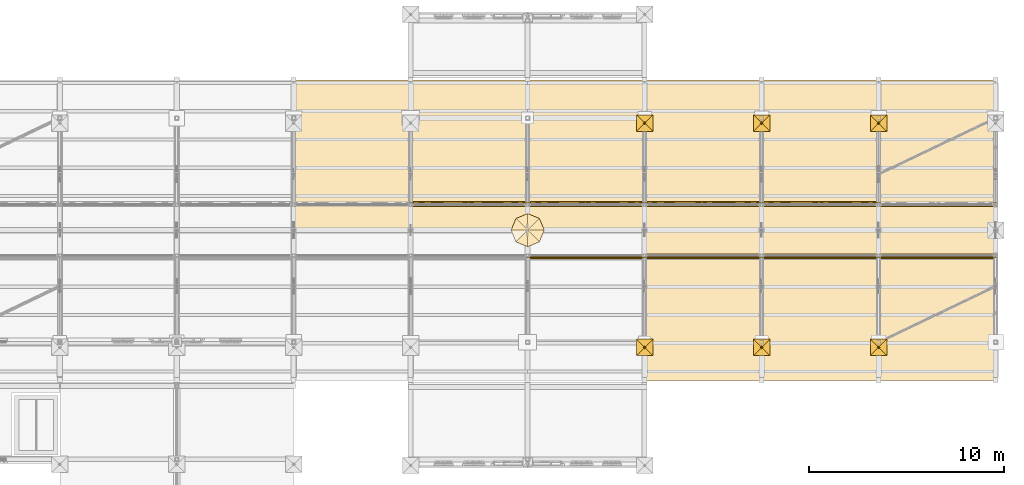
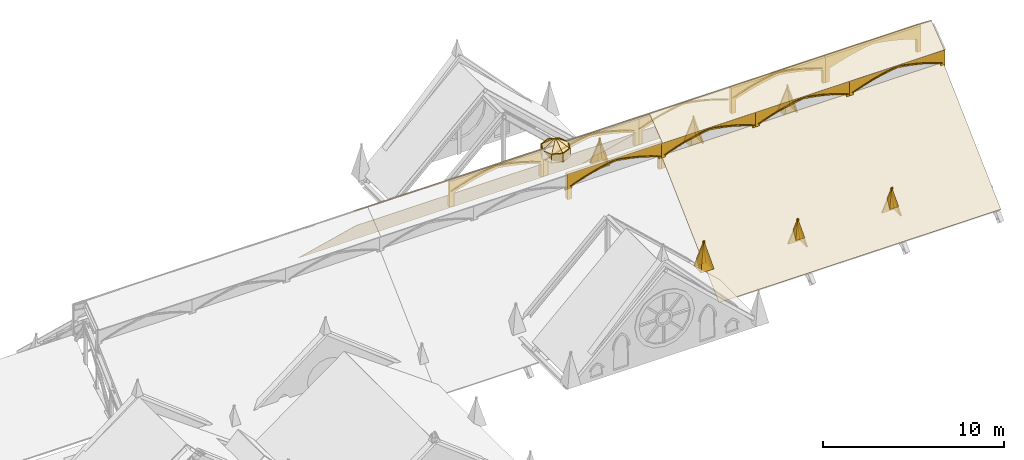
# One storey, part 30 of 33: 55 coverings.
"""IFC4 building model written with IfcOpenShell, lengths in metres."""

import ifcopenshell
import ifcopenshell.guid

model = None  # the IFC model being written
_history = None  # IfcOwnerHistory: only IFC2X3 demands one
_inside = {}  # id of a spatial element -> (the spatial element, [elements in it])
_under = {}  # id of a project, library or spatial element -> (it, [spatial elements below it])
_declared = {}  # id of a project -> (the project, [libraries it declares])
_typed = {}  # id of a type object -> (the type object, [elements of that type])
_made_of = {}  # id of a material, layer set ... -> (it, [elements and type objects made of it])


def new_model(schema):
    """Start an empty IFC model of exactly this schema.

    Asked for "IFC4X3", IfcOpenShell would pick the latest addendum, in which some entities
    have other attributes; the version numbers below select the first issue.
    IFC2X3 requires an IfcOwnerHistory on every rooted entity: one is made here for all.
    """
    global model, _history
    if schema == "IFC4X3":
        model = ifcopenshell.file(schema_version=(4, 3, 0, 0))
    else:
        model = ifcopenshell.file(schema=schema)
    _inside.clear()
    _under.clear()
    _declared.clear()
    _typed.clear()
    _made_of.clear()
    _history = None
    if model.schema == "IFC2X3":
        org = make("IfcOrganization", Name="unknown")
        user = make(
            "IfcPersonAndOrganization",
            ThePerson=make("IfcPerson", FamilyName="unknown"),
            TheOrganization=org,
        )
        app = make(
            "IfcApplication",
            ApplicationDeveloper=org,
            Version="unknown",
            ApplicationFullName="unknown",
            ApplicationIdentifier="unknown",
        )
        _history = make(
            "IfcOwnerHistory",
            OwningUser=user,
            OwningApplication=app,
            ChangeAction="ADDED",
            CreationDate=0,
        )
    return model


def make(cls, **values):
    """One entity of the class cls with the attributes given. An attribute that is None is left unset."""
    return model.create_entity(
        cls, **{name: value for name, value in values.items() if value is not None}
    )


def rooted(cls, **values):
    """An entity with a GlobalId (a new one), such as an element, a storey or a relation."""
    return make(cls, GlobalId=ifcopenshell.guid.new(), OwnerHistory=_history, **values)


def si_unit(unit_type, name, prefix=None):
    """IfcSIUnit, for example si_unit("LENGTHUNIT", "METRE", prefix="MILLI")."""
    return make("IfcSIUnit", UnitType=unit_type, Prefix=prefix, Name=name)


def assignment(units):
    """IfcUnitAssignment: the units of a project."""
    return None if units is None else make("IfcUnitAssignment", Units=units)


def point(xyz):
    """IfcCartesianPoint."""
    return None if xyz is None else make("IfcCartesianPoint", Coordinates=xyz)


def direction(xyz):
    """IfcDirection."""
    return None if xyz is None else make("IfcDirection", DirectionRatios=xyz)


def frame(location, z_axis=None, x_axis=None):
    """IfcAxis2Placement3D, a coordinate frame: its origin and axes. An axis left out is left unset."""
    return make(
        "IfcAxis2Placement3D",
        Location=point(location),
        Axis=direction(z_axis),
        RefDirection=direction(x_axis),
    )


def origin():
    """The frame at (0, 0, 0) with its axes left unset."""
    return frame((0.0, 0.0, 0.0))


def place(relative_to, where):
    """IfcLocalPlacement: puts the frame where relative to a parent placement (None: the world)."""
    return make(
        "IfcLocalPlacement", PlacementRelTo=relative_to, RelativePlacement=where
    )


def context(
    kind, dimensions, precision=None, world=None, true_north=None, identifier=None
):
    """IfcGeometricRepresentationContext, for example the 3D "Model" context."""
    return make(
        "IfcGeometricRepresentationContext",
        ContextIdentifier=identifier,
        ContextType=kind,
        CoordinateSpaceDimension=dimensions,
        Precision=precision,
        WorldCoordinateSystem=world,
        TrueNorth=true_north,
    )


def subcontext(parent, identifier, kind, view, scale=None):
    """IfcGeometricRepresentationSubContext, for example "Body" below "Model"."""
    return make(
        "IfcGeometricRepresentationSubContext",
        ContextIdentifier=identifier,
        ContextType=kind,
        ParentContext=parent,
        TargetScale=scale,
        TargetView=view,
    )


def project(units=None, contexts=None):
    """IfcProject with its units and contexts."""
    return rooted(
        "IfcProject",
        Name="project",
        RepresentationContexts=contexts,
        UnitsInContext=assignment(units),
    )


def spatial(cls, under=None, at=None, **own):
    """A site, building, storey or space (cls), placed at a placement, below another one or the project."""
    s = rooted(cls, ObjectPlacement=at, **own)
    if under is not None:
        _under.setdefault(under.id(), (under, []))[1].append(s)
    return s


def polyline(points):
    """IfcPolyline through the points."""
    return make("IfcPolyline", Points=[point(p) for p in points])


def outline(outer, holes=None, kind="AREA"):
    """IfcArbitraryClosedProfileDef: a profile drawn as a closed curve; with holes, ...WithVoids."""
    if holes is None:
        return make("IfcArbitraryClosedProfileDef", ProfileType=kind, OuterCurve=outer)
    return make(
        "IfcArbitraryProfileDefWithVoids",
        ProfileType=kind,
        OuterCurve=outer,
        InnerCurves=holes,
    )


def extrude(swept, where, along, depth):
    """IfcExtrudedAreaSolid: the profile swept, set in the frame where, extruded along a direction by depth."""
    return make(
        "IfcExtrudedAreaSolid",
        SweptArea=swept,
        Position=where,
        ExtrudedDirection=direction(along),
        Depth=depth,
    )


def shape(context_of_items, identifier, shape_type, items):
    """IfcShapeRepresentation: the items that make up one representation, for example the "Body"."""
    return make(
        "IfcShapeRepresentation",
        ContextOfItems=context_of_items,
        RepresentationIdentifier=identifier,
        RepresentationType=shape_type,
        Items=items,
    )


def material(Name=None, Category=None):
    """IfcMaterial."""
    return make("IfcMaterial", Name=Name, Category=Category)


def made_of(thing, what):
    """Note that an element or type object is made of a material, layer set ...; save() writes the relation."""
    if what is not None:
        _made_of.setdefault(what.id(), (what, []))[1].append(thing)
    return thing


def type_object(cls, material=None, **own):
    """A type object (cls), such as IfcWallType, which elements share."""
    return made_of(rooted(cls, **own), material)


def element(
    cls,
    number,
    at=None,
    inside=None,
    cuts=None,
    type_object=None,
    material=None,
    context=None,
    identifier="Body",
    shape_type=None,
    held_by="IfcProductDefinitionShape",
    body=None,
    shapes=None,
    **own,
):
    """One element of the class cls, such as IfcWall. Its Tag is "e" and its number.

    at: its placement. inside: the storey or other place that contains it. cuts: it is an
    opening in that element (IfcRelVoidsElement). A single representation is given by context,
    identifier, shape_type and body (its items); several are given by shapes. held_by: the class
    of the entity that holds the representations. save() writes the other relations.
    """
    e = rooted(cls, Tag="e%d" % number, ObjectPlacement=at, **own)
    if body is not None:
        shapes = [shape(context, identifier, shape_type, body)]
    if shapes is not None:
        e.Representation = make(held_by, Representations=shapes)
    if inside is not None:
        _inside.setdefault(inside.id(), (inside, []))[1].append(e)
    if cuts is not None:
        rooted(
            "IfcRelVoidsElement", RelatingBuildingElement=cuts, RelatedOpeningElement=e
        )
    if type_object is not None:
        _typed.setdefault(type_object.id(), (type_object, []))[1].append(e)
    return made_of(e, material)


def aggregate(whole, parts):
    """IfcRelAggregates: a whole, such as a stair, and the parts it consists of."""
    return rooted("IfcRelAggregates", RelatingObject=whole, RelatedObjects=parts)


def save(model, path):
    """Write the relations noted so far, then the file.

    IfcRelAggregates (storeys below a building ...), IfcRelContainedInSpatialStructure (elements
    in a storey), IfcRelDefinesByType, IfcRelAssociatesMaterial and IfcRelDeclares: one each for
    every whole, place, type object, material and project.
    """
    for whole, parts in _under.values():
        aggregate(whole, parts)
    for where, things in _inside.values():
        rooted(
            "IfcRelContainedInSpatialStructure",
            RelatedElements=things,
            RelatingStructure=where,
        )
    for kind, things in _typed.values():
        rooted("IfcRelDefinesByType", RelatedObjects=things, RelatingType=kind)
    for what, things in _made_of.values():
        rooted("IfcRelAssociatesMaterial", RelatedObjects=things, RelatingMaterial=what)
    for by, libraries in _declared.values():
        rooted("IfcRelDeclares", RelatingContext=by, RelatedDefinitions=libraries)
    model.write(path)


model = new_model("IFC4")

# Units and contexts
model_context = context("Model", 3, precision=1e-05, world=origin(), true_north=direction((0.0, 1.0)))
body_context = subcontext(model_context, "Body", "Model", "MODEL_VIEW")
ifc_project = project(units=[si_unit("LENGTHUNIT", "METRE"), si_unit("AREAUNIT", "SQUARE_METRE"), si_unit("VOLUMEUNIT", "CUBIC_METRE"), si_unit("PLANEANGLEUNIT", "RADIAN"), si_unit("MASSUNIT", "GRAM", prefix="KILO")], contexts=[model_context])

# Site, building, storey
site_placement = place(None, origin())
site = spatial("IfcSite", under=ifc_project, at=site_placement, CompositionType="ELEMENT")
building_placement = place(site_placement, origin())
building = spatial("IfcBuilding", under=site, at=building_placement, Name="Cumevento Cable Car Station", CompositionType="ELEMENT")
storey_placement = place(building_placement, frame((0.0, 0.0, 22.5)))
storey = spatial("IfcBuildingStorey", under=building, at=storey_placement, Name="RF", CompositionType="ELEMENT", Elevation=22.5)

# Coverings
ifc_material_1 = material(Name="Standing-Seam Zinc-Titanium Roof Sheet", Category="steel")
covering_type_1 = type_object("IfcCoveringType", Name="Standing-Seam Zinc Roofing CV-RF01", PredefinedType="ROOFING", material=ifc_material_1)
covering_1_placement = place(storey_placement, frame((82.0, 52.050048828125, 5.681396484375), z_axis=(0.0, 0.688352287595, 0.72537654233), x_axis=(1.0, 0.0, 0.0)))
element("IfcCovering", 1, at=covering_1_placement, inside=storey, type_object=covering_type_1, Name="Standing-Seam Zinc Roof Covering #6", PredefinedType="ROOFING", context=body_context, shape_type="SweptSolid", body=[
    extrude(outline(polyline([(0.0, 0.0), (18.0, 0.0), (18.0, 8.822869186243585), (0.0, 8.822869186243585), (0.0, 0.0)])), origin(), (0.0, 0.0, -1.0), 0.02587890625),
])
covering_2_placement = place(storey_placement, frame((82.0, 50.7548828125, 7.704345703125), z_axis=(0.0, 0.614798151706, 0.788684495004), x_axis=(1.0, 0.0, 0.0)))
element("IfcCovering", 2, at=covering_2_placement, inside=storey, type_object=covering_type_1, Name="Standing-Seam Zinc Roof Covering #8", PredefinedType="ROOFING", context=body_context, shape_type="SweptSolid", body=[
    extrude(outline(polyline([(0.0, 0.0), (18.0, 0.0), (18.0, 1.8322515131584596), (0.0, 1.8322515131584596), (0.0, 0.0)])), origin(), (0.0, 0.0, -1.0), 0.02587890625),
])
for number, where, z_axis, x_axis, name in (
    (3, (100.0, 43.050048828125, -0.391845703125), (0.0, -0.688352287595, 0.72537654233), (1.0, 0.0, 0.0), "Standing-Seam Zinc Roof Covering #9"),
    (4, (100.0, 52.050048828125, 5.681396484375), (0.0, 0.688352287595, 0.72537654233), (1.0, 0.0, 0.0), "Standing-Seam Zinc Roof Covering #10"),
):
    element("IfcCovering", number, at=place(storey_placement, frame(where, z_axis=z_axis, x_axis=x_axis)), inside=storey, type_object=covering_type_1, Name=name, PredefinedType="ROOFING", context=body_context, shape_type="SweptSolid", body=[
        extrude(outline(polyline([(0.0, 0.0), (18.0, 0.0), (18.0, 8.822869186243585), (0.0, 8.822869186243585), (0.0, 0.0)])), origin(), (0.0, 0.0, -1.0), 0.02587890625),
    ])
for number, where, z_axis, x_axis, name in (
    (5, (100.0, 49.300048828125, 6.577880859375), (0.0, -0.614798151706, 0.788684495004), (1.0, 0.0, 0.0), "Standing-Seam Zinc Roof Covering #11"),
    (6, (100.0, 50.7548828125, 7.704345703125), (0.0, 0.614798151706, 0.788684495004), (1.0, 0.0, 0.0), "Standing-Seam Zinc Roof Covering #12"),
):
    element("IfcCovering", number, at=place(storey_placement, frame(where, z_axis=z_axis, x_axis=x_axis)), inside=storey, type_object=covering_type_1, Name=name, PredefinedType="ROOFING", context=body_context, shape_type="SweptSolid", body=[
        extrude(outline(polyline([(0.0, 0.0), (18.0, 0.0), (18.0, 1.8322515131584596), (0.0, 1.8322515131584596), (0.0, 0.0)])), origin(), (0.0, 0.0, -1.0), 0.02587890625),
    ])
ifc_material_2 = material(Name="Gnaisse Facoidal Stone Ashlar 85 MPa", Category="masonry")
covering_type_2 = type_object("IfcCoveringType", Name="Gnaisse Ashlar Cladding CV-CL01", PredefinedType="CLADDING", material=ifc_material_2)
for number, where, z_axis, x_axis, name in (
    (7, (99.580078125, 45.159912109375, 0.969970703125), (0.0, 0.973851925658, 0.227183685356), (1.0, 0.0, 0.0), "Gothic Buttress Pinnacle Spire Facet 1 bt:100.0:45.0"),
    (8, (100.419921875, 45.159912109375, 0.969970703125), (0.973851925658, 0.0, 0.227183685356), (0.0, -1.0, 0.0), "Gothic Buttress Pinnacle Spire Facet 2 bt:100.0:45.0"),
    (9, (100.419921875, 44.320068359375, 0.969970703125), (0.0, -0.973851925658, 0.227183685356), (-1.0, 0.0, 0.0), "Gothic Buttress Pinnacle Spire Facet 3 bt:100.0:45.0"),
    (10, (99.580078125, 44.320068359375, 0.969970703125), (-0.973851925658, 0.0, 0.227183685356), (0.0, 1.0, 0.0), "Gothic Buttress Pinnacle Spire Facet 4 bt:100.0:45.0"),
    (11, (99.580078125, 56.659912109375, 0.969970703125), (0.0, 0.973851925658, 0.227183685356), (1.0, 0.0, 0.0), "Gothic Buttress Pinnacle Spire Facet 1 bt:100.0:56.5"),
    (12, (100.419921875, 56.659912109375, 0.969970703125), (0.973851925658, 0.0, 0.227183685356), (0.0, -1.0, 0.0), "Gothic Buttress Pinnacle Spire Facet 2 bt:100.0:56.5"),
    (13, (100.419921875, 55.820068359375, 0.969970703125), (0.0, -0.973851925658, 0.227183685356), (-1.0, 0.0, 0.0), "Gothic Buttress Pinnacle Spire Facet 3 bt:100.0:56.5"),
    (14, (99.580078125, 55.820068359375, 0.969970703125), (-0.973851925658, 0.0, 0.227183685356), (0.0, 1.0, 0.0), "Gothic Buttress Pinnacle Spire Facet 4 bt:100.0:56.5"),
):
    element("IfcCovering", number, at=place(storey_placement, frame(where, z_axis=z_axis, x_axis=x_axis)), inside=storey, type_object=covering_type_2, Name=name, PredefinedType="CLADDING", context=body_context, shape_type="SweptSolid", body=[
        extrude(outline(polyline([(0.0, 0.0), (0.83984375, 0.0), (0.419921875, -1.84838041667231), (0.0, 0.0)])), origin(), (0.0, 0.0, -1.0), 0.0849609375),
    ])
for number, where, z_axis, x_axis, name in (
    (15, (105.580078125, 45.159912109375, 0.3701171875), (0.0, 0.973845107191, 0.227212911607), (1.0, 0.0, 0.0), "Gothic Buttress Pinnacle Spire Facet 1 bt:106.0:45.0"),
    (16, (106.419921875, 45.159912109375, 0.3701171875), (0.973845107191, 0.0, 0.227212911607), (0.0, -1.0, 0.0), "Gothic Buttress Pinnacle Spire Facet 2 bt:106.0:45.0"),
    (17, (106.419921875, 44.320068359375, 0.3701171875), (0.0, -0.973845107191, 0.227212911607), (-1.0, 0.0, 0.0), "Gothic Buttress Pinnacle Spire Facet 3 bt:106.0:45.0"),
    (18, (105.580078125, 44.320068359375, 0.3701171875), (-0.973845107191, 0.0, 0.227212911607), (0.0, 1.0, 0.0), "Gothic Buttress Pinnacle Spire Facet 4 bt:106.0:45.0"),
    (19, (105.580078125, 56.659912109375, 0.3701171875), (0.0, 0.973845107191, 0.227212911607), (1.0, 0.0, 0.0), "Gothic Buttress Pinnacle Spire Facet 1 bt:106.0:56.5"),
    (20, (106.419921875, 56.659912109375, 0.3701171875), (0.973845107191, 0.0, 0.227212911607), (0.0, -1.0, 0.0), "Gothic Buttress Pinnacle Spire Facet 2 bt:106.0:56.5"),
    (21, (106.419921875, 55.820068359375, 0.3701171875), (0.0, -0.973845107191, 0.227212911607), (-1.0, 0.0, 0.0), "Gothic Buttress Pinnacle Spire Facet 3 bt:106.0:56.5"),
    (22, (105.580078125, 55.820068359375, 0.3701171875), (-0.973845107191, 0.0, 0.227212911607), (0.0, 1.0, 0.0), "Gothic Buttress Pinnacle Spire Facet 4 bt:106.0:56.5"),
    (23, (111.580078125, 45.159912109375, 0.3701171875), (0.0, 0.973845107191, 0.227212911607), (1.0, 0.0, 0.0), "Gothic Buttress Pinnacle Spire Facet 1 bt:112.0:45.0"),
    (24, (112.419921875, 45.159912109375, 0.3701171875), (0.973845107191, 0.0, 0.227212911607), (0.0, -1.0, 0.0), "Gothic Buttress Pinnacle Spire Facet 2 bt:112.0:45.0"),
    (25, (112.419921875, 44.320068359375, 0.3701171875), (0.0, -0.973845107191, 0.227212911607), (-1.0, 0.0, 0.0), "Gothic Buttress Pinnacle Spire Facet 3 bt:112.0:45.0"),
    (26, (111.580078125, 44.320068359375, 0.3701171875), (-0.973845107191, 0.0, 0.227212911607), (0.0, 1.0, 0.0), "Gothic Buttress Pinnacle Spire Facet 4 bt:112.0:45.0"),
    (27, (111.580078125, 56.659912109375, 0.3701171875), (0.0, 0.973845107191, 0.227212911607), (1.0, 0.0, 0.0), "Gothic Buttress Pinnacle Spire Facet 1 bt:112.0:56.5"),
    (28, (112.419921875, 56.659912109375, 0.3701171875), (0.973845107191, 0.0, 0.227212911607), (0.0, -1.0, 0.0), "Gothic Buttress Pinnacle Spire Facet 2 bt:112.0:56.5"),
    (29, (112.419921875, 55.820068359375, 0.3701171875), (0.0, -0.973845107191, 0.227212911607), (-1.0, 0.0, 0.0), "Gothic Buttress Pinnacle Spire Facet 3 bt:112.0:56.5"),
    (30, (111.580078125, 55.820068359375, 0.3701171875), (-0.973845107191, 0.0, 0.227212911607), (0.0, 1.0, 0.0), "Gothic Buttress Pinnacle Spire Facet 4 bt:112.0:56.5"),
):
    element("IfcCovering", number, at=place(storey_placement, frame(where, z_axis=z_axis, x_axis=x_axis)), inside=storey, type_object=covering_type_2, Name=name, PredefinedType="CLADDING", context=body_context, shape_type="SweptSolid", body=[
        extrude(outline(polyline([(0.0, 0.0), (0.83984375, 0.0), (0.419921875, -1.848142660686801), (0.0, 0.0)])), origin(), (0.0, 0.0, -1.0), 0.0849609375),
    ])
covering_3_placement = place(storey_placement, frame((100.0, 49.449951171875, 4.85009765625), z_axis=(0.0, 0.0, 1.0), x_axis=(-1.0, 0.0, 0.0)))
element("IfcCovering", 31, at=covering_3_placement, inside=storey, type_object=covering_type_2, Name="Gothic Ogival Pointed-Arch Stone Spandrel bh_lantern_arc:S:5", PredefinedType="CLADDING", context=body_context, shape_type="SweptSolid", body=[
    extrude(outline(polyline([(-0.050048828125, 0.0), (-0.050048828125, 1.72998046875), (6.050048828125, 1.72998046875), (6.050048828125, 0.0), (5.780029296875, 0.0), (5.780029296875, 0.89990234375), (5.327880859375, 1.0537109375), (4.870361328125, 1.190185546875), (4.408203125, 1.310546875), (3.942138671875, 1.414306640625), (3.472412109375, 1.50048828125), (3.0, 1.56982421875), (2.527587890625, 1.50048828125), (2.057861328125, 1.414306640625), (1.591796875, 1.310546875), (1.129638671875, 1.190185546875), (0.672119140625, 1.0537109375), (0.219970703125, 0.89990234375), (0.219970703125, 0.0), (-0.050048828125, 0.0)])), frame((0.0, 0.1201171875, 0.0), z_axis=(0.0, -1.0, 0.0), x_axis=(1.0, 0.0, 0.0)), (0.0, 0.0, 1.0), 0.199951171875),
])
covering_4_placement = place(storey_placement, frame((100.0, 49.449951171875, 5.75), z_axis=(0.0, 0.0, 1.0), x_axis=(-1.0, 0.0, 0.0)))
element("IfcCovering", 32, at=covering_4_placement, inside=storey, type_object=covering_type_2, Name="Gothic Pointed Archivolt Hood Moulding bh_lantern_arc:S:5", PredefinedType="CLADDING", context=body_context, shape_type="SweptSolid", body=[
    extrude(outline(polyline([(0.219970703125, 0.0), (0.672119140625, 0.153564453125), (1.129638671875, 0.290283203125), (1.591796875, 0.41064453125), (2.057861328125, 0.51416015625), (2.527587890625, 0.6005859375), (3.0, 0.669921875), (3.472412109375, 0.6005859375), (3.942138671875, 0.51416015625), (4.408203125, 0.41064453125), (4.870361328125, 0.290283203125), (5.327880859375, 0.153564453125), (5.780029296875, 0.0), (5.867919921875, 0.0), (5.404541015625, 0.17822265625), (4.934326171875, 0.337646484375), (4.457763671875, 0.477783203125), (3.97607421875, 0.59814453125), (3.489990234375, 0.698974609375), (3.0, 0.780029296875), (2.510009765625, 0.698974609375), (2.02392578125, 0.59814453125), (1.542236328125, 0.477783203125), (1.065673828125, 0.337646484375), (0.595458984375, 0.17822265625), (0.132080078125, 0.0), (0.219970703125, 0.0)])), frame((0.0, 0.162109375, 0.0), z_axis=(0.0, -1.0, 0.0), x_axis=(1.0, 0.0, 0.0)), (0.0, 0.0, 1.0), 0.06689453125),
])
covering_5_placement = place(storey_placement, frame((106.0, 49.449951171875, 4.85009765625), z_axis=(0.0, 0.0, 1.0), x_axis=(-1.0, 0.0, 0.0)))
element("IfcCovering", 33, at=covering_5_placement, inside=storey, type_object=covering_type_2, Name="Gothic Ogival Pointed-Arch Stone Spandrel bh_lantern_arc:S:6", PredefinedType="CLADDING", context=body_context, shape_type="SweptSolid", body=[
    extrude(outline(polyline([(-0.050048828125, 0.0), (-0.050048828125, 1.72998046875), (6.050048828125, 1.72998046875), (6.050048828125, 0.0), (5.780029296875, 0.0), (5.780029296875, 0.89990234375), (5.327880859375, 1.0537109375), (4.870361328125, 1.190185546875), (4.408203125, 1.310546875), (3.942138671875, 1.414306640625), (3.472412109375, 1.50048828125), (3.0, 1.56982421875), (2.527587890625, 1.50048828125), (2.057861328125, 1.414306640625), (1.591796875, 1.310546875), (1.129638671875, 1.190185546875), (0.672119140625, 1.0537109375), (0.219970703125, 0.89990234375), (0.219970703125, 0.0), (-0.050048828125, 0.0)])), frame((0.0, 0.1201171875, 0.0), z_axis=(0.0, -1.0, 0.0), x_axis=(1.0, 0.0, 0.0)), (0.0, 0.0, 1.0), 0.199951171875),
])
covering_6_placement = place(storey_placement, frame((106.0, 49.449951171875, 5.75), z_axis=(0.0, 0.0, 1.0), x_axis=(-1.0, 0.0, 0.0)))
element("IfcCovering", 34, at=covering_6_placement, inside=storey, type_object=covering_type_2, Name="Gothic Pointed Archivolt Hood Moulding bh_lantern_arc:S:6", PredefinedType="CLADDING", context=body_context, shape_type="SweptSolid", body=[
    extrude(outline(polyline([(0.219970703125, 0.0), (0.672119140625, 0.153564453125), (1.129638671875, 0.290283203125), (1.591796875, 0.41064453125), (2.057861328125, 0.51416015625), (2.527587890625, 0.6005859375), (3.0, 0.669921875), (3.472412109375, 0.6005859375), (3.942138671875, 0.51416015625), (4.408203125, 0.41064453125), (4.870361328125, 0.290283203125), (5.327880859375, 0.153564453125), (5.780029296875, 0.0), (5.867919921875, 0.0), (5.404541015625, 0.17822265625), (4.934326171875, 0.337646484375), (4.457763671875, 0.477783203125), (3.97607421875, 0.59814453125), (3.489990234375, 0.698974609375), (3.0, 0.780029296875), (2.510009765625, 0.698974609375), (2.02392578125, 0.59814453125), (1.542236328125, 0.477783203125), (1.065673828125, 0.337646484375), (0.595458984375, 0.17822265625), (0.132080078125, 0.0), (0.219970703125, 0.0)])), frame((0.0, 0.162109375, 0.0), z_axis=(0.0, -1.0, 0.0), x_axis=(1.0, 0.0, 0.0)), (0.0, 0.0, 1.0), 0.06689453125),
])
covering_7_placement = place(storey_placement, frame((112.0, 49.449951171875, 4.85009765625), z_axis=(0.0, 0.0, 1.0), x_axis=(-1.0, 0.0, 0.0)))
element("IfcCovering", 35, at=covering_7_placement, inside=storey, type_object=covering_type_2, Name="Gothic Ogival Pointed-Arch Stone Spandrel bh_lantern_arc:S:7", PredefinedType="CLADDING", context=body_context, shape_type="SweptSolid", body=[
    extrude(outline(polyline([(-0.050048828125, 0.0), (-0.050048828125, 1.72998046875), (6.050048828125, 1.72998046875), (6.050048828125, 0.0), (5.780029296875, 0.0), (5.780029296875, 0.89990234375), (5.327880859375, 1.0537109375), (4.870361328125, 1.190185546875), (4.408203125, 1.310546875), (3.942138671875, 1.414306640625), (3.472412109375, 1.50048828125), (3.0, 1.56982421875), (2.527587890625, 1.50048828125), (2.057861328125, 1.414306640625), (1.591796875, 1.310546875), (1.129638671875, 1.190185546875), (0.672119140625, 1.0537109375), (0.219970703125, 0.89990234375), (0.219970703125, 0.0), (-0.050048828125, 0.0)])), frame((0.0, 0.1201171875, 0.0), z_axis=(0.0, -1.0, 0.0), x_axis=(1.0, 0.0, 0.0)), (0.0, 0.0, 1.0), 0.199951171875),
])
covering_8_placement = place(storey_placement, frame((112.0, 49.449951171875, 5.75), z_axis=(0.0, 0.0, 1.0), x_axis=(-1.0, 0.0, 0.0)))
element("IfcCovering", 36, at=covering_8_placement, inside=storey, type_object=covering_type_2, Name="Gothic Pointed Archivolt Hood Moulding bh_lantern_arc:S:7", PredefinedType="CLADDING", context=body_context, shape_type="SweptSolid", body=[
    extrude(outline(polyline([(0.219970703125, 0.0), (0.672119140625, 0.153564453125), (1.129638671875, 0.290283203125), (1.591796875, 0.41064453125), (2.057861328125, 0.51416015625), (2.527587890625, 0.6005859375), (3.0, 0.669921875), (3.472412109375, 0.6005859375), (3.942138671875, 0.51416015625), (4.408203125, 0.41064453125), (4.870361328125, 0.290283203125), (5.327880859375, 0.153564453125), (5.780029296875, 0.0), (5.867919921875, 0.0), (5.404541015625, 0.17822265625), (4.934326171875, 0.337646484375), (4.457763671875, 0.477783203125), (3.97607421875, 0.59814453125), (3.489990234375, 0.698974609375), (3.0, 0.780029296875), (2.510009765625, 0.698974609375), (2.02392578125, 0.59814453125), (1.542236328125, 0.477783203125), (1.065673828125, 0.337646484375), (0.595458984375, 0.17822265625), (0.132080078125, 0.0), (0.219970703125, 0.0)])), frame((0.0, 0.162109375, 0.0), z_axis=(0.0, -1.0, 0.0), x_axis=(1.0, 0.0, 0.0)), (0.0, 0.0, 1.0), 0.06689453125),
])
covering_9_placement = place(storey_placement, frame((118.0, 49.449951171875, 4.85009765625), z_axis=(0.0, 0.0, 1.0), x_axis=(-1.0, 0.0, 0.0)))
element("IfcCovering", 37, at=covering_9_placement, inside=storey, type_object=covering_type_2, Name="Gothic Ogival Pointed-Arch Stone Spandrel bh_lantern_arc:S:8", PredefinedType="CLADDING", context=body_context, shape_type="SweptSolid", body=[
    extrude(outline(polyline([(-0.050048828125, 0.0), (-0.050048828125, 1.72998046875), (6.050048828125, 1.72998046875), (6.050048828125, 0.0), (5.780029296875, 0.0), (5.780029296875, 0.89990234375), (5.327880859375, 1.0537109375), (4.870361328125, 1.190185546875), (4.408203125, 1.310546875), (3.942138671875, 1.414306640625), (3.472412109375, 1.50048828125), (3.0, 1.56982421875), (2.527587890625, 1.50048828125), (2.057861328125, 1.414306640625), (1.591796875, 1.310546875), (1.129638671875, 1.190185546875), (0.672119140625, 1.0537109375), (0.219970703125, 0.89990234375), (0.219970703125, 0.0), (-0.050048828125, 0.0)])), frame((0.0, 0.1201171875, 0.0), z_axis=(0.0, -1.0, 0.0), x_axis=(1.0, 0.0, 0.0)), (0.0, 0.0, 1.0), 0.199951171875),
])
covering_10_placement = place(storey_placement, frame((118.0, 49.449951171875, 5.75), z_axis=(0.0, 0.0, 1.0), x_axis=(-1.0, 0.0, 0.0)))
element("IfcCovering", 38, at=covering_10_placement, inside=storey, type_object=covering_type_2, Name="Gothic Pointed Archivolt Hood Moulding bh_lantern_arc:S:8", PredefinedType="CLADDING", context=body_context, shape_type="SweptSolid", body=[
    extrude(outline(polyline([(0.219970703125, 0.0), (0.672119140625, 0.153564453125), (1.129638671875, 0.290283203125), (1.591796875, 0.41064453125), (2.057861328125, 0.51416015625), (2.527587890625, 0.6005859375), (3.0, 0.669921875), (3.472412109375, 0.6005859375), (3.942138671875, 0.51416015625), (4.408203125, 0.41064453125), (4.870361328125, 0.290283203125), (5.327880859375, 0.153564453125), (5.780029296875, 0.0), (5.867919921875, 0.0), (5.404541015625, 0.17822265625), (4.934326171875, 0.337646484375), (4.457763671875, 0.477783203125), (3.97607421875, 0.59814453125), (3.489990234375, 0.698974609375), (3.0, 0.780029296875), (2.510009765625, 0.698974609375), (2.02392578125, 0.59814453125), (1.542236328125, 0.477783203125), (1.065673828125, 0.337646484375), (0.595458984375, 0.17822265625), (0.132080078125, 0.0), (0.219970703125, 0.0)])), frame((0.0, 0.162109375, 0.0), z_axis=(0.0, -1.0, 0.0), x_axis=(1.0, 0.0, 0.0)), (0.0, 0.0, 1.0), 0.06689453125),
])
covering_11_placement = place(storey_placement, frame((88.0, 52.050048828125, 4.85009765625), z_axis=(0.0, 0.0, 1.0), x_axis=(1.0, 0.0, 0.0)))
element("IfcCovering", 39, at=covering_11_placement, inside=storey, type_object=covering_type_2, Name="Gothic Ogival Pointed-Arch Stone Spandrel bh_lantern_arc:N:4", PredefinedType="CLADDING", context=body_context, shape_type="SweptSolid", body=[
    extrude(outline(polyline([(-0.050048828125, 0.0), (-0.050048828125, 1.72998046875), (6.050048828125, 1.72998046875), (6.050048828125, 0.0), (5.780029296875, 0.0), (5.780029296875, 0.89990234375), (5.327880859375, 1.0537109375), (4.870361328125, 1.190185546875), (4.408203125, 1.310546875), (3.942138671875, 1.414306640625), (3.472412109375, 1.50048828125), (3.0, 1.56982421875), (2.527587890625, 1.50048828125), (2.057861328125, 1.414306640625), (1.591796875, 1.310546875), (1.129638671875, 1.190185546875), (0.672119140625, 1.0537109375), (0.219970703125, 0.89990234375), (0.219970703125, 0.0), (-0.050048828125, 0.0)])), frame((0.0, 0.1201171875, 0.0), z_axis=(0.0, -1.0, 0.0), x_axis=(1.0, 0.0, 0.0)), (0.0, 0.0, 1.0), 0.199951171875),
])
covering_12_placement = place(storey_placement, frame((88.0, 52.050048828125, 5.75), z_axis=(0.0, 0.0, 1.0), x_axis=(1.0, 0.0, 0.0)))
element("IfcCovering", 40, at=covering_12_placement, inside=storey, type_object=covering_type_2, Name="Gothic Pointed Archivolt Hood Moulding bh_lantern_arc:N:4", PredefinedType="CLADDING", context=body_context, shape_type="SweptSolid", body=[
    extrude(outline(polyline([(0.219970703125, 0.0), (0.672119140625, 0.153564453125), (1.129638671875, 0.290283203125), (1.591796875, 0.41064453125), (2.057861328125, 0.51416015625), (2.527587890625, 0.6005859375), (3.0, 0.669921875), (3.472412109375, 0.6005859375), (3.942138671875, 0.51416015625), (4.408203125, 0.41064453125), (4.870361328125, 0.290283203125), (5.327880859375, 0.153564453125), (5.780029296875, 0.0), (5.867919921875, 0.0), (5.404541015625, 0.17822265625), (4.934326171875, 0.337646484375), (4.457763671875, 0.477783203125), (3.97607421875, 0.59814453125), (3.489990234375, 0.698974609375), (3.0, 0.780029296875), (2.510009765625, 0.698974609375), (2.02392578125, 0.59814453125), (1.542236328125, 0.477783203125), (1.065673828125, 0.337646484375), (0.595458984375, 0.17822265625), (0.132080078125, 0.0), (0.219970703125, 0.0)])), frame((0.0, 0.162109375, 0.0), z_axis=(0.0, -1.0, 0.0), x_axis=(1.0, 0.0, 0.0)), (0.0, 0.0, 1.0), 0.06689453125),
])
covering_13_placement = place(storey_placement, frame((94.0, 52.050048828125, 4.85009765625), z_axis=(0.0, 0.0, 1.0), x_axis=(1.0, 0.0, 0.0)))
element("IfcCovering", 41, at=covering_13_placement, inside=storey, type_object=covering_type_2, Name="Gothic Ogival Pointed-Arch Stone Spandrel bh_lantern_arc:N:5", PredefinedType="CLADDING", context=body_context, shape_type="SweptSolid", body=[
    extrude(outline(polyline([(-0.050048828125, 0.0), (-0.050048828125, 1.72998046875), (6.050048828125, 1.72998046875), (6.050048828125, 0.0), (5.780029296875, 0.0), (5.780029296875, 0.89990234375), (5.327880859375, 1.0537109375), (4.870361328125, 1.190185546875), (4.408203125, 1.310546875), (3.942138671875, 1.414306640625), (3.472412109375, 1.50048828125), (3.0, 1.56982421875), (2.527587890625, 1.50048828125), (2.057861328125, 1.414306640625), (1.591796875, 1.310546875), (1.129638671875, 1.190185546875), (0.672119140625, 1.0537109375), (0.219970703125, 0.89990234375), (0.219970703125, 0.0), (-0.050048828125, 0.0)])), frame((0.0, 0.1201171875, 0.0), z_axis=(0.0, -1.0, 0.0), x_axis=(1.0, 0.0, 0.0)), (0.0, 0.0, 1.0), 0.199951171875),
])
covering_14_placement = place(storey_placement, frame((94.0, 52.050048828125, 5.75), z_axis=(0.0, 0.0, 1.0), x_axis=(1.0, 0.0, 0.0)))
element("IfcCovering", 42, at=covering_14_placement, inside=storey, type_object=covering_type_2, Name="Gothic Pointed Archivolt Hood Moulding bh_lantern_arc:N:5", PredefinedType="CLADDING", context=body_context, shape_type="SweptSolid", body=[
    extrude(outline(polyline([(0.219970703125, 0.0), (0.672119140625, 0.153564453125), (1.129638671875, 0.290283203125), (1.591796875, 0.41064453125), (2.057861328125, 0.51416015625), (2.527587890625, 0.6005859375), (3.0, 0.669921875), (3.472412109375, 0.6005859375), (3.942138671875, 0.51416015625), (4.408203125, 0.41064453125), (4.870361328125, 0.290283203125), (5.327880859375, 0.153564453125), (5.780029296875, 0.0), (5.867919921875, 0.0), (5.404541015625, 0.17822265625), (4.934326171875, 0.337646484375), (4.457763671875, 0.477783203125), (3.97607421875, 0.59814453125), (3.489990234375, 0.698974609375), (3.0, 0.780029296875), (2.510009765625, 0.698974609375), (2.02392578125, 0.59814453125), (1.542236328125, 0.477783203125), (1.065673828125, 0.337646484375), (0.595458984375, 0.17822265625), (0.132080078125, 0.0), (0.219970703125, 0.0)])), frame((0.0, 0.162109375, 0.0), z_axis=(0.0, -1.0, 0.0), x_axis=(1.0, 0.0, 0.0)), (0.0, 0.0, 1.0), 0.06689453125),
])
covering_15_placement = place(storey_placement, frame((100.0, 52.050048828125, 4.85009765625), z_axis=(0.0, 0.0, 1.0), x_axis=(1.0, 0.0, 0.0)))
element("IfcCovering", 43, at=covering_15_placement, inside=storey, type_object=covering_type_2, Name="Gothic Ogival Pointed-Arch Stone Spandrel bh_lantern_arc:N:6", PredefinedType="CLADDING", context=body_context, shape_type="SweptSolid", body=[
    extrude(outline(polyline([(-0.050048828125, 0.0), (-0.050048828125, 1.72998046875), (6.050048828125, 1.72998046875), (6.050048828125, 0.0), (5.780029296875, 0.0), (5.780029296875, 0.89990234375), (5.327880859375, 1.0537109375), (4.870361328125, 1.190185546875), (4.408203125, 1.310546875), (3.942138671875, 1.414306640625), (3.472412109375, 1.50048828125), (3.0, 1.56982421875), (2.527587890625, 1.50048828125), (2.057861328125, 1.414306640625), (1.591796875, 1.310546875), (1.129638671875, 1.190185546875), (0.672119140625, 1.0537109375), (0.219970703125, 0.89990234375), (0.219970703125, 0.0), (-0.050048828125, 0.0)])), frame((0.0, 0.1201171875, 0.0), z_axis=(0.0, -1.0, 0.0), x_axis=(1.0, 0.0, 0.0)), (0.0, 0.0, 1.0), 0.199951171875),
])
covering_16_placement = place(storey_placement, frame((100.0, 52.050048828125, 5.75), z_axis=(0.0, 0.0, 1.0), x_axis=(1.0, 0.0, 0.0)))
element("IfcCovering", 44, at=covering_16_placement, inside=storey, type_object=covering_type_2, Name="Gothic Pointed Archivolt Hood Moulding bh_lantern_arc:N:6", PredefinedType="CLADDING", context=body_context, shape_type="SweptSolid", body=[
    extrude(outline(polyline([(0.219970703125, 0.0), (0.672119140625, 0.153564453125), (1.129638671875, 0.290283203125), (1.591796875, 0.41064453125), (2.057861328125, 0.51416015625), (2.527587890625, 0.6005859375), (3.0, 0.669921875), (3.472412109375, 0.6005859375), (3.942138671875, 0.51416015625), (4.408203125, 0.41064453125), (4.870361328125, 0.290283203125), (5.327880859375, 0.153564453125), (5.780029296875, 0.0), (5.867919921875, 0.0), (5.404541015625, 0.17822265625), (4.934326171875, 0.337646484375), (4.457763671875, 0.477783203125), (3.97607421875, 0.59814453125), (3.489990234375, 0.698974609375), (3.0, 0.780029296875), (2.510009765625, 0.698974609375), (2.02392578125, 0.59814453125), (1.542236328125, 0.477783203125), (1.065673828125, 0.337646484375), (0.595458984375, 0.17822265625), (0.132080078125, 0.0), (0.219970703125, 0.0)])), frame((0.0, 0.162109375, 0.0), z_axis=(0.0, -1.0, 0.0), x_axis=(1.0, 0.0, 0.0)), (0.0, 0.0, 1.0), 0.06689453125),
])
covering_17_placement = place(storey_placement, frame((106.0, 52.050048828125, 4.85009765625), z_axis=(0.0, 0.0, 1.0), x_axis=(1.0, 0.0, 0.0)))
element("IfcCovering", 45, at=covering_17_placement, inside=storey, type_object=covering_type_2, Name="Gothic Ogival Pointed-Arch Stone Spandrel bh_lantern_arc:N:7", PredefinedType="CLADDING", context=body_context, shape_type="SweptSolid", body=[
    extrude(outline(polyline([(-0.050048828125, 0.0), (-0.050048828125, 1.72998046875), (6.050048828125, 1.72998046875), (6.050048828125, 0.0), (5.780029296875, 0.0), (5.780029296875, 0.89990234375), (5.327880859375, 1.0537109375), (4.870361328125, 1.190185546875), (4.408203125, 1.310546875), (3.942138671875, 1.414306640625), (3.472412109375, 1.50048828125), (3.0, 1.56982421875), (2.527587890625, 1.50048828125), (2.057861328125, 1.414306640625), (1.591796875, 1.310546875), (1.129638671875, 1.190185546875), (0.672119140625, 1.0537109375), (0.219970703125, 0.89990234375), (0.219970703125, 0.0), (-0.050048828125, 0.0)])), frame((0.0, 0.1201171875, 0.0), z_axis=(0.0, -1.0, 0.0), x_axis=(1.0, 0.0, 0.0)), (0.0, 0.0, 1.0), 0.199951171875),
])
covering_18_placement = place(storey_placement, frame((106.0, 52.050048828125, 5.75), z_axis=(0.0, 0.0, 1.0), x_axis=(1.0, 0.0, 0.0)))
element("IfcCovering", 46, at=covering_18_placement, inside=storey, type_object=covering_type_2, Name="Gothic Pointed Archivolt Hood Moulding bh_lantern_arc:N:7", PredefinedType="CLADDING", context=body_context, shape_type="SweptSolid", body=[
    extrude(outline(polyline([(0.219970703125, 0.0), (0.672119140625, 0.153564453125), (1.129638671875, 0.290283203125), (1.591796875, 0.41064453125), (2.057861328125, 0.51416015625), (2.527587890625, 0.6005859375), (3.0, 0.669921875), (3.472412109375, 0.6005859375), (3.942138671875, 0.51416015625), (4.408203125, 0.41064453125), (4.870361328125, 0.290283203125), (5.327880859375, 0.153564453125), (5.780029296875, 0.0), (5.867919921875, 0.0), (5.404541015625, 0.17822265625), (4.934326171875, 0.337646484375), (4.457763671875, 0.477783203125), (3.97607421875, 0.59814453125), (3.489990234375, 0.698974609375), (3.0, 0.780029296875), (2.510009765625, 0.698974609375), (2.02392578125, 0.59814453125), (1.542236328125, 0.477783203125), (1.065673828125, 0.337646484375), (0.595458984375, 0.17822265625), (0.132080078125, 0.0), (0.219970703125, 0.0)])), frame((0.0, 0.162109375, 0.0), z_axis=(0.0, -1.0, 0.0), x_axis=(1.0, 0.0, 0.0)), (0.0, 0.0, 1.0), 0.06689453125),
])
covering_19_placement = place(storey_placement, frame((112.0, 52.050048828125, 4.85009765625), z_axis=(0.0, 0.0, 1.0), x_axis=(1.0, 0.0, 0.0)))
element("IfcCovering", 47, at=covering_19_placement, inside=storey, type_object=covering_type_2, Name="Gothic Ogival Pointed-Arch Stone Spandrel bh_lantern_arc:N:8", PredefinedType="CLADDING", context=body_context, shape_type="SweptSolid", body=[
    extrude(outline(polyline([(-0.050048828125, 0.0), (-0.050048828125, 1.72998046875), (6.050048828125, 1.72998046875), (6.050048828125, 0.0), (5.780029296875, 0.0), (5.780029296875, 0.89990234375), (5.327880859375, 1.0537109375), (4.870361328125, 1.190185546875), (4.408203125, 1.310546875), (3.942138671875, 1.414306640625), (3.472412109375, 1.50048828125), (3.0, 1.56982421875), (2.527587890625, 1.50048828125), (2.057861328125, 1.414306640625), (1.591796875, 1.310546875), (1.129638671875, 1.190185546875), (0.672119140625, 1.0537109375), (0.219970703125, 0.89990234375), (0.219970703125, 0.0), (-0.050048828125, 0.0)])), frame((0.0, 0.1201171875, 0.0), z_axis=(0.0, -1.0, 0.0), x_axis=(1.0, 0.0, 0.0)), (0.0, 0.0, 1.0), 0.199951171875),
])
covering_20_placement = place(storey_placement, frame((0.0, 0.0, 7.050048828125)))
element("IfcCovering", 48, at=covering_20_placement, inside=storey, type_object=covering_type_2, Name="Boarding Hall Central Flèche Stone Drum", PredefinedType="CLADDING", context=body_context, shape_type="SweptSolid", body=[
    extrude(outline(polyline([(94.85009765625, 50.75), (94.60107421875, 51.35107421875), (94.0, 51.60009765625), (93.39892578125, 51.35107421875), (93.14990234375, 50.75), (93.39892578125, 50.14892578125), (94.0, 49.89990234375), (94.60107421875, 50.14892578125), (94.85009765625, 50.75)])), origin(), (0.0, 0.0, 1.0), 0.570068359375),
])
covering_21_placement = place(storey_placement, frame((94.85009765625, 50.75, 7.580078125), z_axis=(0.560769647229, 0.232325361565, 0.794708958751), x_axis=(-0.382749478474, 0.923852172551, 0.0)))
element("IfcCovering", 49, at=covering_21_placement, inside=storey, type_object=covering_type_2, Name="Boarding Hall Central Flèche Spire #1", PredefinedType="CLADDING", context=body_context, shape_type="SweptSolid", body=[
    extrude(outline(polyline([(0.0, 0.0), (0.6506173136877309, 0.0), (0.32537443458148235, 0.9882417430417498), (0.0, 0.0)])), origin(), (0.0, 0.0, -1.0), 0.06494140625),
])
covering_22_placement = place(storey_placement, frame((94.60107421875, 51.35107421875, 7.580078125), z_axis=(0.232325361565, 0.560769647229, 0.794708958751), x_axis=(-0.923852172551, 0.382749478474, 0.0)))
element("IfcCovering", 50, at=covering_22_placement, inside=storey, type_object=covering_type_2, Name="Boarding Hall Central Flèche Spire #2", PredefinedType="CLADDING", context=body_context, shape_type="SweptSolid", body=[
    extrude(outline(polyline([(0.0, 0.0), (0.6506173136877309, 0.0), (0.32524287910624855, 0.9882417430417498), (0.0, 0.0)])), origin(), (0.0, 0.0, -1.0), 0.06494140625),
])
covering_23_placement = place(storey_placement, frame((94.0, 51.60009765625, 7.580078125), z_axis=(-0.232325361565, 0.560769647229, 0.794708958751), x_axis=(-0.923852172551, -0.382749478474, 0.0)))
element("IfcCovering", 51, at=covering_23_placement, inside=storey, type_object=covering_type_2, Name="Boarding Hall Central Flèche Spire #3", PredefinedType="CLADDING", context=body_context, shape_type="SweptSolid", body=[
    extrude(outline(polyline([(0.0, 0.0), (0.6506173136877309, 0.0), (0.32537443458148235, 0.9882417430417498), (0.0, 0.0)])), origin(), (0.0, 0.0, -1.0), 0.06494140625),
])
for number, where, z_axis, x_axis, name in (
    (52, (93.39892578125, 51.35107421875, 7.580078125), (-0.560769647229, 0.232325361565, 0.794708958751), (-0.382749478474, -0.923852172551, 0.0), "Boarding Hall Central Flèche Spire #4"),
    (53, (93.39892578125, 50.14892578125, 7.580078125), (-0.232325361565, -0.560769647229, 0.794708958751), (0.923852172551, -0.382749478474, 0.0), "Boarding Hall Central Flèche Spire #6"),
):
    element("IfcCovering", number, at=place(storey_placement, frame(where, z_axis=z_axis, x_axis=x_axis)), inside=storey, type_object=covering_type_2, Name=name, PredefinedType="CLADDING", context=body_context, shape_type="SweptSolid", body=[
        extrude(outline(polyline([(0.0, 0.0), (0.6506173136877309, 0.0), (0.32524287910624855, 0.9882417430417498), (0.0, 0.0)])), origin(), (0.0, 0.0, -1.0), 0.06494140625),
    ])
covering_24_placement = place(storey_placement, frame((94.0, 49.89990234375, 7.580078125), z_axis=(0.232325361565, -0.560769647229, 0.794708958751), x_axis=(0.923852172551, 0.382749478474, 0.0)))
element("IfcCovering", 54, at=covering_24_placement, inside=storey, type_object=covering_type_2, Name="Boarding Hall Central Flèche Spire #7", PredefinedType="CLADDING", context=body_context, shape_type="SweptSolid", body=[
    extrude(outline(polyline([(0.0, 0.0), (0.6506173136877309, 0.0), (0.32537443458148235, 0.9882417430417498), (0.0, 0.0)])), origin(), (0.0, 0.0, -1.0), 0.06494140625),
])
covering_25_placement = place(storey_placement, frame((94.60107421875, 50.14892578125, 7.580078125), z_axis=(0.560769647229, -0.232325361565, 0.794708958751), x_axis=(0.382749478474, 0.923852172551, 0.0)))
element("IfcCovering", 55, at=covering_25_placement, inside=storey, type_object=covering_type_2, Name="Boarding Hall Central Flèche Spire #8", PredefinedType="CLADDING", context=body_context, shape_type="SweptSolid", body=[
    extrude(outline(polyline([(0.0, 0.0), (0.6506173136877309, 0.0), (0.32524287910624855, 0.9882417430417498), (0.0, 0.0)])), origin(), (0.0, 0.0, -1.0), 0.06494140625),
])

save(model, "model.ifc")
